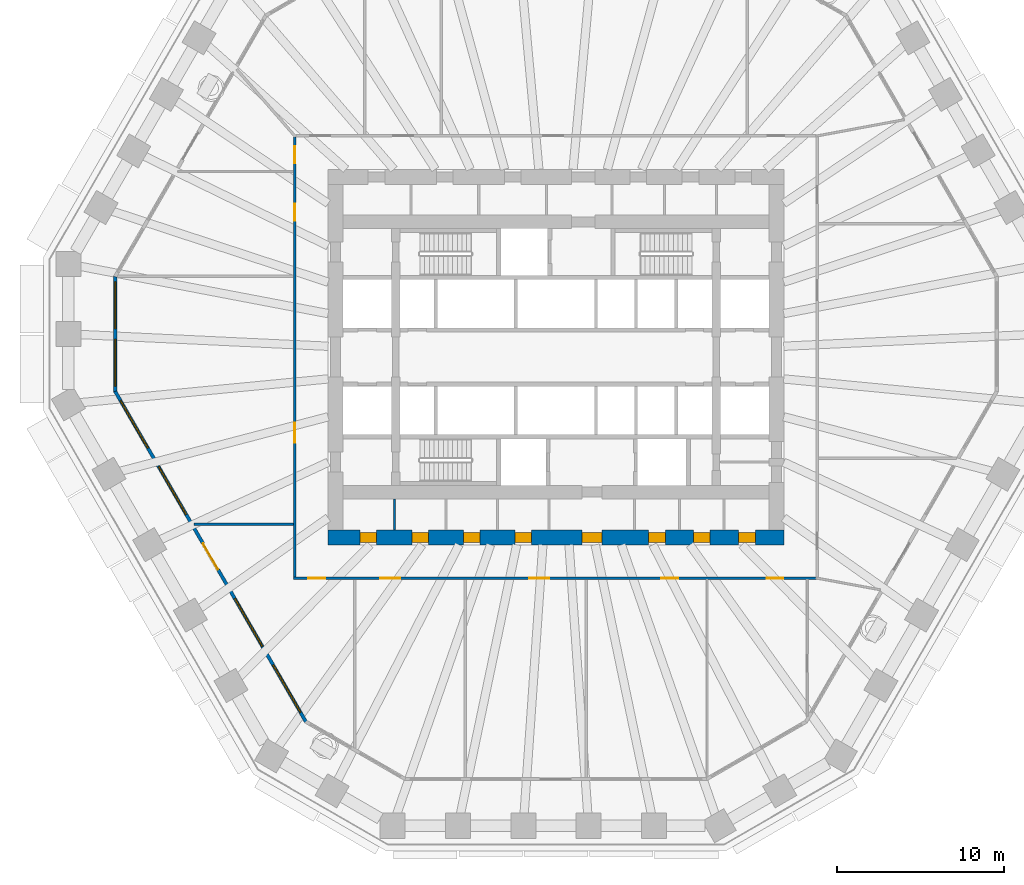
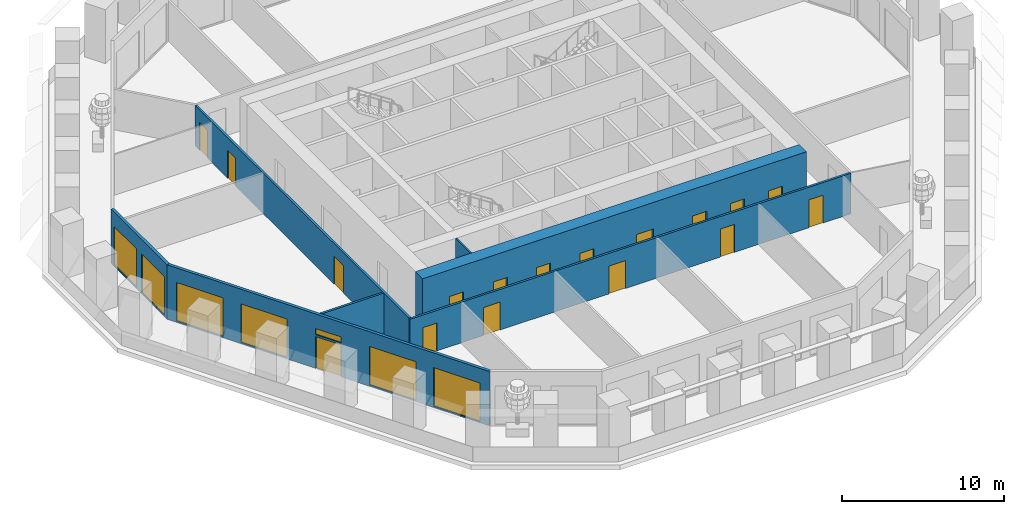
# One storey, part 3 of 12: 17 doors, 7 walls, 7 windows, 24 openings.
"""IFC4 building model written with IfcOpenShell, lengths in metres."""

from ifc_helpers import new_model, si_unit, direction, frame, frame_2d, origin, place, context, subcontext, project, spatial, polyline, rectangle, outline, extrude, material, layer, layer_set, type_object, element, fill, save


model = new_model("IFC4")

# Units and contexts
model_context = context("Model", 3, precision=1e-05, world=origin(), true_north=direction((0.0, 1.0)))
body_context = subcontext(model_context, "Body", "Model", "MODEL_VIEW")
ifc_project = project(units=[si_unit("LENGTHUNIT", "METRE"), si_unit("AREAUNIT", "SQUARE_METRE"), si_unit("VOLUMEUNIT", "CUBIC_METRE"), si_unit("PLANEANGLEUNIT", "RADIAN"), si_unit("MASSUNIT", "GRAM", prefix="KILO")], contexts=[model_context])

# Site, building, storey
site_placement = place(None, origin())
site = spatial("IfcSite", under=ifc_project, at=site_placement, CompositionType="ELEMENT")
building_placement = place(site_placement, origin())
building = spatial("IfcBuilding", under=site, at=building_placement, Name="Frailejon Research Tower", CompositionType="ELEMENT")
storey_placement = place(building_placement, frame((0.0, 0.0, 58.60009765625)))
storey = spatial("IfcBuildingStorey", under=building, at=storey_placement, Name="L13", CompositionType="ELEMENT", Elevation=58.60009765625)

# Wall
ifc_material_1 = material(Name="Plasterboard on steel studs", Category="steel")
ifc_layer_1 = layer(ifc_material_1, 0.125)
ifc_layer_set_1 = layer_set([ifc_layer_1], Name="Core partition 125")
wall_type_1 = type_object("IfcWallType", Name="Core partition 125", PredefinedType="PARTITIONING", material=ifc_layer_set_1)
wall_1_placement = place(storey_placement, frame((-9.66552734375, -10.35009765625, 0.0), z_axis=(0.0, 0.0, 1.0), x_axis=(0.0, 1.0, 0.0)))
element("IfcWall", 1, at=wall_1_placement, inside=storey, type_object=wall_type_1, Name="Core partition", PredefinedType="PARTITIONING", context=body_context, shape_type="SweptSolid", body=[
    extrude(rectangle(XDim=1.85009765625, YDim=0.125, at=frame_2d((0.925048828125, 0.0))), origin(), (0.0, 0.0, 1.0), 4.099853515625),
])

# Wall, openings, doors
ifc_material_2 = material(Name="Concrete C70/85", Category="concrete")
ifc_layer_2 = layer(ifc_material_2, 0.89990234375)
ifc_layer_set_2 = layer_set([ifc_layer_2], Name="Core shear wall 900 C70/85")
wall_type_2 = type_object("IfcWallType", Name="Core shear wall 900 C70/85", PredefinedType="SHEAR", material=ifc_layer_set_2)
wall_2_placement = place(storey_placement, frame((-13.64990234375, -10.800048828125, 0.0), z_axis=(0.0, 0.0, 1.0), x_axis=(1.0, 0.0, 0.0)))
wall_2 = element("IfcWall", 2, at=wall_2_placement, inside=storey, type_object=wall_type_2, Name="Core shear wall", PredefinedType="SHEAR", context=body_context, shape_type="SweptSolid", body=[
    extrude(rectangle(XDim=27.2998046875, YDim=0.89990234375, at=frame_2d((13.64990234375, 0.0))), origin(), (0.0, 0.0, 1.0), 4.099853515625),
])
opening_1_placement = place(wall_2_placement, frame((1.910888671875, 0.0, 0.0)))
opening_1 = element("IfcOpeningElement", 3, at=opening_1_placement, cuts=wall_2, Name="Opening D4", PredefinedType="OPENING", context=body_context, shape_type="SweptSolid", body=[
    extrude(rectangle(XDim=1.0, YDim=2.10009765625, at=frame_2d((0.5, 1.050048828125))), frame((0.0, 0.4599609375, 0.0), z_axis=(0.0, -1.0, 0.0), x_axis=(1.0, 0.0, 0.0)), (0.0, 0.0, 1.0), 0.919921875),
])
opening_2_placement = place(wall_2_placement, frame((5.026611328125, 0.0, 0.0)))
opening_2 = element("IfcOpeningElement", 4, at=opening_2_placement, cuts=wall_2, Name="Opening D4", PredefinedType="OPENING", context=body_context, shape_type="SweptSolid", body=[
    extrude(rectangle(XDim=1.0, YDim=2.10009765625, at=frame_2d((0.5, 1.050048828125))), frame((0.0, 0.4599609375, 0.0), z_axis=(0.0, -1.0, 0.0), x_axis=(1.0, 0.0, 0.0)), (0.0, 0.0, 1.0), 0.919921875),
])
opening_3_placement = place(wall_2_placement, frame((8.11083984375, 0.0, 0.0)))
opening_3 = element("IfcOpeningElement", 5, at=opening_3_placement, cuts=wall_2, Name="Opening D4", PredefinedType="OPENING", context=body_context, shape_type="SweptSolid", body=[
    extrude(rectangle(XDim=1.0, YDim=2.10009765625, at=frame_2d((0.5, 1.050048828125))), frame((0.0, 0.4599609375, 0.0), z_axis=(0.0, -1.0, 0.0), x_axis=(1.0, 0.0, 0.0)), (0.0, 0.0, 1.0), 0.919921875),
])
opening_4_placement = place(wall_2_placement, frame((11.1953125, 0.0, 0.0)))
opening_4 = element("IfcOpeningElement", 6, at=opening_4_placement, cuts=wall_2, Name="Opening D4", PredefinedType="OPENING", context=body_context, shape_type="SweptSolid", body=[
    extrude(rectangle(XDim=1.0, YDim=2.10009765625, at=frame_2d((0.5, 1.050048828125))), frame((0.0, 0.4599609375, 0.0), z_axis=(0.0, -1.0, 0.0), x_axis=(1.0, 0.0, 0.0)), (0.0, 0.0, 1.0), 0.919921875),
])
opening_5_placement = place(wall_2_placement, frame((19.2021484375, 0.0, 0.0)))
opening_5 = element("IfcOpeningElement", 7, at=opening_5_placement, cuts=wall_2, Name="Opening D4", PredefinedType="OPENING", context=body_context, shape_type="SweptSolid", body=[
    extrude(rectangle(XDim=1.0, YDim=2.10009765625, at=frame_2d((0.5, 1.050048828125))), frame((0.0, 0.4599609375, 0.0), z_axis=(0.0, -1.0, 0.0), x_axis=(1.0, 0.0, 0.0)), (0.0, 0.0, 1.0), 0.919921875),
])
opening_6_placement = place(wall_2_placement, frame((21.881103515625, 0.0, 0.0)))
opening_6 = element("IfcOpeningElement", 8, at=opening_6_placement, cuts=wall_2, Name="Opening D4", PredefinedType="OPENING", context=body_context, shape_type="SweptSolid", body=[
    extrude(rectangle(XDim=1.0, YDim=2.10009765625, at=frame_2d((0.5, 1.050048828125))), frame((0.0, 0.4599609375, 0.0), z_axis=(0.0, -1.0, 0.0), x_axis=(1.0, 0.0, 0.0)), (0.0, 0.0, 1.0), 0.919921875),
])
opening_7_placement = place(wall_2_placement, frame((24.591796875, 0.0, 0.0)))
opening_7 = element("IfcOpeningElement", 9, at=opening_7_placement, cuts=wall_2, Name="Opening D4", PredefinedType="OPENING", context=body_context, shape_type="SweptSolid", body=[
    extrude(rectangle(XDim=1.0, YDim=2.10009765625, at=frame_2d((0.5, 1.050048828125))), frame((0.0, 0.4599609375, 0.0), z_axis=(0.0, -1.0, 0.0), x_axis=(1.0, 0.0, 0.0)), (0.0, 0.0, 1.0), 0.919921875),
])
opening_8_placement = place(wall_2_placement, frame((15.199951171875, 0.0, 0.0)))
opening_8 = element("IfcOpeningElement", 10, at=opening_8_placement, cuts=wall_2, Name="Opening D3", PredefinedType="OPENING", context=body_context, shape_type="SweptSolid", body=[
    extrude(rectangle(XDim=1.199951171875, YDim=2.10009765625, at=frame_2d((0.60009765625, 1.050048828125))), frame((0.0, 0.4599609375, 0.0), z_axis=(0.0, -1.0, 0.0), x_axis=(1.0, 0.0, 0.0)), (0.0, 0.0, 1.0), 0.919921875),
])
ifc_material_3 = material(Name="Steel", Category="steel")
door_type_1 = type_object("IfcDoorType", Name="Firefighting lobby door", OperationType="SINGLE_SWING_LEFT", PredefinedType="DOOR", material=ifc_material_3)
door_1_placement = place(opening_8_placement, origin())
door_1 = element("IfcDoor", 11, at=door_1_placement, inside=storey, type_object=door_type_1, Name="Passage door", OperationType="SINGLE_SWING_RIGHT", OverallHeight=2.10009765625, OverallWidth=1.199951171875, PredefinedType="DOOR", context=body_context, shape_type="SweptSolid", body=[
    extrude(rectangle(XDim=1.199951171875, YDim=2.10009765625, at=frame_2d((0.60009765625, 1.050048828125))), frame((0.0, 0.300048828125, 0.0), z_axis=(0.0, -1.0, 0.0), x_axis=(1.0, 0.0, 0.0)), (0.0, 0.0, 1.0), 0.60009765625),
])
fill(opening_8, door_1)
ifc_material_4 = material(Name="Steel", Category="steel")
door_type_2 = type_object("IfcDoorType", Name="Service door", OperationType="SINGLE_SWING_LEFT", PredefinedType="DOOR", material=ifc_material_4)
door_2_placement = place(opening_1_placement, origin())
door_2 = element("IfcDoor", 12, at=door_2_placement, inside=storey, type_object=door_type_2, Name="Room door", OperationType="SINGLE_SWING_LEFT", OverallHeight=2.10009765625, OverallWidth=1.0, PredefinedType="DOOR", context=body_context, shape_type="SweptSolid", body=[
    extrude(rectangle(XDim=1.0, YDim=2.10009765625, at=frame_2d((0.5, 1.050048828125))), frame((0.0, 0.300048828125, 0.0), z_axis=(0.0, -1.0, 0.0), x_axis=(1.0, 0.0, 0.0)), (0.0, 0.0, 1.0), 0.60009765625),
])
fill(opening_1, door_2)
door_3_placement = place(opening_2_placement, origin())
door_3 = element("IfcDoor", 13, at=door_3_placement, inside=storey, type_object=door_type_2, Name="Room door", OperationType="SINGLE_SWING_RIGHT", OverallHeight=2.10009765625, OverallWidth=1.0, PredefinedType="DOOR", context=body_context, shape_type="SweptSolid", body=[
    extrude(rectangle(XDim=1.0, YDim=2.10009765625, at=frame_2d((0.5, 1.050048828125))), frame((0.0, 0.300048828125, 0.0), z_axis=(0.0, -1.0, 0.0), x_axis=(1.0, 0.0, 0.0)), (0.0, 0.0, 1.0), 0.60009765625),
])
fill(opening_2, door_3)
door_4_placement = place(opening_3_placement, origin())
door_4 = element("IfcDoor", 14, at=door_4_placement, inside=storey, type_object=door_type_2, Name="Room door", OperationType="SINGLE_SWING_LEFT", OverallHeight=2.10009765625, OverallWidth=1.0, PredefinedType="DOOR", context=body_context, shape_type="SweptSolid", body=[
    extrude(rectangle(XDim=1.0, YDim=2.10009765625, at=frame_2d((0.5, 1.050048828125))), frame((0.0, 0.300048828125, 0.0), z_axis=(0.0, -1.0, 0.0), x_axis=(1.0, 0.0, 0.0)), (0.0, 0.0, 1.0), 0.60009765625),
])
fill(opening_3, door_4)
door_5_placement = place(opening_4_placement, origin())
door_5 = element("IfcDoor", 15, at=door_5_placement, inside=storey, type_object=door_type_2, Name="Room door", OperationType="SINGLE_SWING_RIGHT", OverallHeight=2.10009765625, OverallWidth=1.0, PredefinedType="DOOR", context=body_context, shape_type="SweptSolid", body=[
    extrude(rectangle(XDim=1.0, YDim=2.10009765625, at=frame_2d((0.5, 1.050048828125))), frame((0.0, 0.300048828125, 0.0), z_axis=(0.0, -1.0, 0.0), x_axis=(1.0, 0.0, 0.0)), (0.0, 0.0, 1.0), 0.60009765625),
])
fill(opening_4, door_5)
door_6_placement = place(opening_5_placement, origin())
door_6 = element("IfcDoor", 16, at=door_6_placement, inside=storey, type_object=door_type_2, Name="Room door", OperationType="SINGLE_SWING_LEFT", OverallHeight=2.10009765625, OverallWidth=1.0, PredefinedType="DOOR", context=body_context, shape_type="SweptSolid", body=[
    extrude(rectangle(XDim=1.0, YDim=2.10009765625, at=frame_2d((0.5, 1.050048828125))), frame((0.0, 0.300048828125, 0.0), z_axis=(0.0, -1.0, 0.0), x_axis=(1.0, 0.0, 0.0)), (0.0, 0.0, 1.0), 0.60009765625),
])
fill(opening_5, door_6)
door_7_placement = place(opening_6_placement, origin())
door_7 = element("IfcDoor", 17, at=door_7_placement, inside=storey, type_object=door_type_2, Name="Room door", OperationType="SINGLE_SWING_RIGHT", OverallHeight=2.10009765625, OverallWidth=1.0, PredefinedType="DOOR", context=body_context, shape_type="SweptSolid", body=[
    extrude(rectangle(XDim=1.0, YDim=2.10009765625, at=frame_2d((0.5, 1.050048828125))), frame((0.0, 0.300048828125, 0.0), z_axis=(0.0, -1.0, 0.0), x_axis=(1.0, 0.0, 0.0)), (0.0, 0.0, 1.0), 0.60009765625),
])
fill(opening_6, door_7)
door_8_placement = place(opening_7_placement, origin())
door_8 = element("IfcDoor", 18, at=door_8_placement, inside=storey, type_object=door_type_2, Name="Room door", OperationType="SINGLE_SWING_LEFT", OverallHeight=2.10009765625, OverallWidth=1.0, PredefinedType="DOOR", context=body_context, shape_type="SweptSolid", body=[
    extrude(rectangle(XDim=1.0, YDim=2.10009765625, at=frame_2d((0.5, 1.050048828125))), frame((0.0, 0.300048828125, 0.0), z_axis=(0.0, -1.0, 0.0), x_axis=(1.0, 0.0, 0.0)), (0.0, 0.0, 1.0), 0.60009765625),
])
fill(opening_7, door_8)

ifc_material_5 = material(Name="Gypsum board and masonry partition", Category="masonry")
ifc_layer_3 = layer(ifc_material_5, 0.14990234375)
ifc_layer_set_3 = layer_set([ifc_layer_3], Name="Corridor wall EI 60, gypsum on steel studs 150")
wall_type_3 = type_object("IfcWallType", Name="Corridor wall EI 60, gypsum on steel studs 150", PredefinedType="PARTITIONING", material=ifc_layer_set_3)
wall_3_placement = place(storey_placement, frame((-15.64990234375, -13.175048828125, 0.0), z_axis=(0.0, 0.0, 1.0), x_axis=(0.0, 1.0, 0.0)))
wall_3 = element("IfcWall", 19, at=wall_3_placement, inside=storey, type_object=wall_type_3, Name="T:IW:L13:003", PredefinedType="PARTITIONING", context=body_context, shape_type="SweptSolid", body=[
    extrude(rectangle(XDim=26.35009765625, YDim=0.14990234375, at=frame_2d((13.175048828125, 0.0))), origin(), (0.0, 0.0, 1.0), 3.0498046875),
])
opening_9_placement = place(wall_3_placement, frame((24.797119140625, 0.0, 0.0)))
opening_9 = element("IfcOpeningElement", 20, at=opening_9_placement, cuts=wall_3, Name="Opening D1441", PredefinedType="OPENING", context=body_context, shape_type="SweptSolid", body=[
    extrude(rectangle(XDim=1.0, YDim=2.10009765625, at=frame_2d((0.5, 1.050048828125))), frame((0.0, 0.0849609375, 0.0), z_axis=(0.0, -1.0, 0.0), x_axis=(1.0, 0.0, 0.0)), (0.0, 0.0, 1.0), 0.169921875),
])
opening_10_placement = place(wall_3_placement, frame((21.345947265625, 0.0, 0.0)))
opening_10 = element("IfcOpeningElement", 21, at=opening_10_placement, cuts=wall_3, Name="Opening D1442", PredefinedType="OPENING", context=body_context, shape_type="SweptSolid", body=[
    extrude(rectangle(XDim=1.0, YDim=2.10009765625, at=frame_2d((0.5, 1.050048828125))), frame((0.0, 0.0849609375, 0.0), z_axis=(0.0, -1.0, 0.0), x_axis=(1.0, 0.0, 0.0)), (0.0, 0.0, 1.0), 0.169921875),
])
opening_11_placement = place(wall_3_placement, frame((8.0458984375, 0.0, 0.0)))
opening_11 = element("IfcOpeningElement", 22, at=opening_11_placement, cuts=wall_3, Name="Opening D1443", PredefinedType="OPENING", context=body_context, shape_type="SweptSolid", body=[
    extrude(rectangle(XDim=1.199951171875, YDim=2.10009765625, at=frame_2d((0.60009765625, 1.050048828125))), frame((0.0, 0.0849609375, 0.0), z_axis=(0.0, -1.0, 0.0), x_axis=(1.0, 0.0, 0.0)), (0.0, 0.0, 1.0), 0.169921875),
])
ifc_material_6 = material(Name="Timber door leaf", Category="wood")
door_type_3 = type_object("IfcDoorType", Name="Door laboratory, timber, vision panel 1200", OperationType="NOTDEFINED", PredefinedType="DOOR", material=ifc_material_6)
door_9_placement = place(opening_11_placement, origin())
door_9 = element("IfcDoor", 23, at=door_9_placement, inside=storey, type_object=door_type_3, Name="D1443", OperationType="DOUBLE_DOOR_SINGLE_SWING", OverallHeight=2.10009765625, OverallWidth=1.199951171875, PredefinedType="DOOR", context=body_context, shape_type="SweptSolid", body=[
    extrude(rectangle(XDim=1.199951171875, YDim=2.10009765625, at=frame_2d((0.60009765625, 1.050048828125))), frame((0.0, 0.02490234375, 0.0), z_axis=(0.0, -1.0, 0.0), x_axis=(1.0, 0.0, 0.0)), (0.0, 0.0, 1.0), 0.050048828125),
])
fill(opening_11, door_9)
ifc_material_7 = material(Name="Timber door leaf", Category="wood")
door_type_4 = type_object("IfcDoorType", Name="Door single leaf, timber, steel frame 1000", OperationType="NOTDEFINED", PredefinedType="DOOR", material=ifc_material_7)
door_10_placement = place(opening_9_placement, origin())
door_10 = element("IfcDoor", 24, at=door_10_placement, inside=storey, type_object=door_type_4, Name="D1441", OperationType="SINGLE_SWING_RIGHT", OverallHeight=2.10009765625, OverallWidth=1.0, PredefinedType="DOOR", context=body_context, shape_type="SweptSolid", body=[
    extrude(rectangle(XDim=1.0, YDim=2.10009765625, at=frame_2d((0.5, 1.050048828125))), frame((0.0, 0.02490234375, 0.0), z_axis=(0.0, -1.0, 0.0), x_axis=(1.0, 0.0, 0.0)), (0.0, 0.0, 1.0), 0.050048828125),
])
fill(opening_9, door_10)
door_11_placement = place(opening_10_placement, origin())
door_11 = element("IfcDoor", 25, at=door_11_placement, inside=storey, type_object=door_type_4, Name="D1442", OperationType="SINGLE_SWING_LEFT", OverallHeight=2.10009765625, OverallWidth=1.0, PredefinedType="DOOR", context=body_context, shape_type="SweptSolid", body=[
    extrude(rectangle(XDim=1.0, YDim=2.10009765625, at=frame_2d((0.5, 1.050048828125))), frame((0.0, 0.02490234375, 0.0), z_axis=(0.0, -1.0, 0.0), x_axis=(1.0, 0.0, 0.0)), (0.0, 0.0, 1.0), 0.050048828125),
])
fill(opening_10, door_11)

wall_4_placement = place(storey_placement, frame((-15.72509765625, -13.25, 0.0), z_axis=(0.0, 0.0, 1.0), x_axis=(1.0, 0.0, 0.0)))
wall_4 = element("IfcWall", 26, at=wall_4_placement, inside=storey, type_object=wall_type_3, Name="T:IW:L13:004", PredefinedType="PARTITIONING", context=body_context, shape_type="SweptSolid", body=[
    extrude(rectangle(XDim=31.3251953125, YDim=0.14990234375, at=frame_2d((15.66259765625, 0.0))), origin(), (0.0, 0.0, 1.0), 3.0498046875),
])
opening_12_placement = place(wall_4_placement, frame((0.89794921875, 0.0, 0.0)))
opening_12 = element("IfcOpeningElement", 27, at=opening_12_placement, cuts=wall_4, Name="Opening D1444", PredefinedType="OPENING", context=body_context, shape_type="SweptSolid", body=[
    extrude(rectangle(XDim=1.0, YDim=2.10009765625, at=frame_2d((0.5, 1.050048828125))), frame((0.0, 0.0849609375, 0.0), z_axis=(0.0, -1.0, 0.0), x_axis=(1.0, 0.0, 0.0)), (0.0, 0.0, 1.0), 0.169921875),
])
opening_13_placement = place(wall_4_placement, frame((5.19775390625, 0.0, 0.0)))
opening_13 = element("IfcOpeningElement", 28, at=opening_13_placement, cuts=wall_4, Name="Opening D1445", PredefinedType="OPENING", context=body_context, shape_type="SweptSolid", body=[
    extrude(rectangle(XDim=1.199951171875, YDim=2.10009765625, at=frame_2d((0.60009765625, 1.050048828125))), frame((0.0, 0.0849609375, 0.0), z_axis=(0.0, -1.0, 0.0), x_axis=(1.0, 0.0, 0.0)), (0.0, 0.0, 1.0), 0.169921875),
])
opening_14_placement = place(wall_4_placement, frame((14.115478515625, 0.0, 0.0)))
opening_14 = element("IfcOpeningElement", 29, at=opening_14_placement, cuts=wall_4, Name="Opening D1446", PredefinedType="OPENING", context=body_context, shape_type="SweptSolid", body=[
    extrude(rectangle(XDim=1.199951171875, YDim=2.10009765625, at=frame_2d((0.60009765625, 1.050048828125))), frame((0.0, 0.0849609375, 0.0), z_axis=(0.0, -1.0, 0.0), x_axis=(1.0, 0.0, 0.0)), (0.0, 0.0, 1.0), 0.169921875),
])
opening_15_placement = place(wall_4_placement, frame((22.04638671875, 0.0, 0.0)))
opening_15 = element("IfcOpeningElement", 30, at=opening_15_placement, cuts=wall_4, Name="Opening D1447", PredefinedType="OPENING", context=body_context, shape_type="SweptSolid", body=[
    extrude(rectangle(XDim=1.0, YDim=2.10009765625, at=frame_2d((0.5, 1.050048828125))), frame((0.0, 0.0849609375, 0.0), z_axis=(0.0, -1.0, 0.0), x_axis=(1.0, 0.0, 0.0)), (0.0, 0.0, 1.0), 0.169921875),
])
opening_16_placement = place(wall_4_placement, frame((28.358154296875, 0.0, 0.0)))
opening_16 = element("IfcOpeningElement", 31, at=opening_16_placement, cuts=wall_4, Name="Opening D1448", PredefinedType="OPENING", context=body_context, shape_type="SweptSolid", body=[
    extrude(rectangle(XDim=1.0, YDim=2.10009765625, at=frame_2d((0.5, 1.050048828125))), frame((0.0, 0.0849609375, 0.0), z_axis=(0.0, -1.0, 0.0), x_axis=(1.0, 0.0, 0.0)), (0.0, 0.0, 1.0), 0.169921875),
])
door_12_placement = place(opening_13_placement, origin())
door_12 = element("IfcDoor", 32, at=door_12_placement, inside=storey, type_object=door_type_3, Name="D1445", OperationType="DOUBLE_DOOR_SINGLE_SWING", OverallHeight=2.10009765625, OverallWidth=1.199951171875, PredefinedType="DOOR", context=body_context, shape_type="SweptSolid", body=[
    extrude(rectangle(XDim=1.199951171875, YDim=2.10009765625, at=frame_2d((0.60009765625, 1.050048828125))), frame((0.0, 0.02490234375, 0.0), z_axis=(0.0, -1.0, 0.0), x_axis=(1.0, 0.0, 0.0)), (0.0, 0.0, 1.0), 0.050048828125),
])
fill(opening_13, door_12)
door_13_placement = place(opening_14_placement, origin())
door_13 = element("IfcDoor", 33, at=door_13_placement, inside=storey, type_object=door_type_3, Name="D1446", OperationType="DOUBLE_DOOR_SINGLE_SWING", OverallHeight=2.10009765625, OverallWidth=1.199951171875, PredefinedType="DOOR", context=body_context, shape_type="SweptSolid", body=[
    extrude(rectangle(XDim=1.199951171875, YDim=2.10009765625, at=frame_2d((0.60009765625, 1.050048828125))), frame((0.0, 0.02490234375, 0.0), z_axis=(0.0, -1.0, 0.0), x_axis=(1.0, 0.0, 0.0)), (0.0, 0.0, 1.0), 0.050048828125),
])
fill(opening_14, door_13)
door_14_placement = place(opening_12_placement, origin())
door_14 = element("IfcDoor", 34, at=door_14_placement, inside=storey, type_object=door_type_4, Name="D1444", OperationType="SINGLE_SWING_RIGHT", OverallHeight=2.10009765625, OverallWidth=1.0, PredefinedType="DOOR", context=body_context, shape_type="SweptSolid", body=[
    extrude(rectangle(XDim=1.0, YDim=2.10009765625, at=frame_2d((0.5, 1.050048828125))), frame((0.0, 0.02490234375, 0.0), z_axis=(0.0, -1.0, 0.0), x_axis=(1.0, 0.0, 0.0)), (0.0, 0.0, 1.0), 0.050048828125),
])
fill(opening_12, door_14)
door_15_placement = place(opening_15_placement, origin())
door_15 = element("IfcDoor", 35, at=door_15_placement, inside=storey, type_object=door_type_4, Name="D1447", OperationType="SINGLE_SWING_LEFT", OverallHeight=2.10009765625, OverallWidth=1.0, PredefinedType="DOOR", context=body_context, shape_type="SweptSolid", body=[
    extrude(rectangle(XDim=1.0, YDim=2.10009765625, at=frame_2d((0.5, 1.050048828125))), frame((0.0, 0.02490234375, 0.0), z_axis=(0.0, -1.0, 0.0), x_axis=(1.0, 0.0, 0.0)), (0.0, 0.0, 1.0), 0.050048828125),
])
fill(opening_15, door_15)
door_16_placement = place(opening_16_placement, origin())
door_16 = element("IfcDoor", 36, at=door_16_placement, inside=storey, type_object=door_type_4, Name="D1448", OperationType="SINGLE_SWING_RIGHT", OverallHeight=2.10009765625, OverallWidth=1.0, PredefinedType="DOOR", context=body_context, shape_type="SweptSolid", body=[
    extrude(rectangle(XDim=1.0, YDim=2.10009765625, at=frame_2d((0.5, 1.050048828125))), frame((0.0, 0.02490234375, 0.0), z_axis=(0.0, -1.0, 0.0), x_axis=(1.0, 0.0, 0.0)), (0.0, 0.0, 1.0), 0.050048828125),
])
fill(opening_16, door_16)

# Wall
ifc_material_8 = material(Name="Gypsum board and masonry partition", Category="masonry")
ifc_layer_4 = layer(ifc_material_8, 0.14990234375)
ifc_layer_set_4 = layer_set([ifc_layer_4], Name="Laboratory partition, blockwork 150")
wall_type_4 = type_object("IfcWallType", Name="Laboratory partition, blockwork 150", PredefinedType="PARTITIONING", material=ifc_layer_set_4)
wall_5_placement = place(storey_placement, frame((-21.698974609375, -10.016357421875, 0.0), z_axis=(0.0, 0.0, 1.0), x_axis=(1.0, 0.0, 0.0)))
element("IfcWall", 37, at=wall_5_placement, inside=storey, type_object=wall_type_4, Name="T:IW:L13:012", PredefinedType="PARTITIONING", context=body_context, shape_type="SweptSolid", body=[
    extrude(rectangle(XDim=5.973876953125, YDim=0.14990234375, at=frame_2d((2.98681640625, 0.0))), origin(), (0.0, 0.0, 1.0), 3.0498046875),
])

# Wall, openings, windows
ifc_material_9 = material(Name="Concrete C40/50 precast window wall panel", Category="concrete")
ifc_layer_5 = layer(ifc_material_9, 0.199951171875)
ifc_layer_set_5 = layer_set([ifc_layer_5], Name="Window wall 200")
wall_type_5 = type_object("IfcWallType", Name="Window wall 200", PredefinedType="SOLIDWALL", material=ifc_layer_set_5)
wall_6_placement = place(storey_placement, frame((-26.4111328125, 4.820068359375, 0.0), z_axis=(0.0, 0.0, 1.0), x_axis=(0.0, -1.0, 0.0)))
wall_6 = element("IfcWall", 38, at=wall_6_placement, inside=storey, type_object=wall_type_5, Name="Exterior wall L13", PredefinedType="SOLIDWALL", context=body_context, shape_type="SweptSolid", body=[
    extrude(outline(polyline([(-0.02685546875, -0.10009765625), (1.1279296875, -0.10009765625), (2.28271484375, -0.10009765625), (3.4375, -0.10009765625), (4.592041015625, -0.10009765625), (5.746826171875, -0.10009765625), (6.901611328125, -0.10009765625), (6.847900390625, 0.10009765625), (5.7109375, 0.10009765625), (4.57421875, 0.10009765625), (3.4375, 0.10009765625), (2.300537109375, 0.10009765625), (1.16357421875, 0.10009765625), (0.02685546875, 0.10009765625), (-0.02685546875, -0.10009765625)])), origin(), (0.0, 0.0, 1.0), 4.099853515625),
])
opening_17_placement = place(wall_6_placement, frame((0.318603515625, 0.0, 0.10009765625)))
opening_17 = element("IfcOpeningElement", 39, at=opening_17_placement, cuts=wall_6, Name="Opening W3", PredefinedType="OPENING", context=body_context, shape_type="SweptSolid", body=[
    extrude(rectangle(XDim=2.800048828125, YDim=2.89990234375, at=frame_2d((1.39990234375, 1.449951171875))), frame((0.0, 0.10986328125, 0.0), z_axis=(0.0, -1.0, 0.0), x_axis=(1.0, 0.0, 0.0)), (0.0, 0.0, 1.0), 0.219970703125),
])
opening_18_placement = place(wall_6_placement, frame((3.756103515625, 0.0, 0.10009765625)))
opening_18 = element("IfcOpeningElement", 40, at=opening_18_placement, cuts=wall_6, Name="Opening W3", PredefinedType="OPENING", context=body_context, shape_type="SweptSolid", body=[
    extrude(rectangle(XDim=2.800048828125, YDim=2.89990234375, at=frame_2d((1.39990234375, 1.449951171875))), frame((0.0, 0.10986328125, 0.0), z_axis=(0.0, -1.0, 0.0), x_axis=(1.0, 0.0, 0.0)), (0.0, 0.0, 1.0), 0.219970703125),
])
ifc_material_10 = material(Name="Aluminium framed double glazing", Category="aluminium")
window_type_1 = type_object("IfcWindowType", Name="Window 2800x2900", PartitioningType="SINGLE_PANEL", PredefinedType="WINDOW", material=ifc_material_10)
window_1_placement = place(opening_17_placement, origin())
window_1 = element("IfcWindow", 41, at=window_1_placement, inside=storey, type_object=window_type_1, Name="Window L13", OverallHeight=2.89990234375, OverallWidth=2.800048828125, PartitioningType="SINGLE_PANEL", PredefinedType="WINDOW", context=body_context, shape_type="SweptSolid", body=[
    extrude(rectangle(XDim=2.800048828125, YDim=2.89990234375, at=frame_2d((1.39990234375, 1.449951171875))), frame((0.0, 0.030029296875, 0.0), z_axis=(0.0, -1.0, 0.0), x_axis=(1.0, 0.0, 0.0)), (0.0, 0.0, 1.0), 0.06005859375),
])
fill(opening_17, window_1)
window_2_placement = place(opening_18_placement, origin())
window_2 = element("IfcWindow", 42, at=window_2_placement, inside=storey, type_object=window_type_1, Name="Window L13", OverallHeight=2.89990234375, OverallWidth=2.800048828125, PartitioningType="SINGLE_PANEL", PredefinedType="WINDOW", context=body_context, shape_type="SweptSolid", body=[
    extrude(rectangle(XDim=2.800048828125, YDim=2.89990234375, at=frame_2d((1.39990234375, 1.449951171875))), frame((0.0, 0.030029296875, 0.0), z_axis=(0.0, -1.0, 0.0), x_axis=(1.0, 0.0, 0.0)), (0.0, 0.0, 1.0), 0.06005859375),
])
fill(opening_18, window_2)

# Wall, openings, door, windows
wall_7_placement = place(storey_placement, frame((-26.4111328125, -2.0546875, 0.0), z_axis=(0.0, 0.0, 1.0), x_axis=(0.50000204422, -0.86602422355, 0.0)))
wall_7 = element("IfcWall", 43, at=wall_7_placement, inside=storey, type_object=wall_type_5, Name="Exterior wall L13", PredefinedType="SOLIDWALL", context=body_context, shape_type="SweptSolid", body=[
    extrude(outline(polyline([(-0.02685546875, -0.10009765625), (1.014404296875, -0.10009765625), (2.055419921875, -0.10009765625), (3.0966796875, -0.10009765625), (4.137939453125, -0.10009765625), (5.17919921875, -0.10009765625), (6.22021484375, -0.10009765625), (7.261474609375, -0.10009765625), (8.302734375, -0.10009765625), (9.343994140625, -0.10009765625), (10.385009765625, -0.10009765625), (11.42626953125, -0.10009765625), (12.467529296875, -0.10009765625), (13.508544921875, -0.10009765625), (14.5498046875, -0.10009765625), (15.591064453125, -0.10009765625), (16.63232421875, -0.10009765625), (17.67333984375, -0.10009765625), (18.714599609375, -0.10009765625), (19.755859375, -0.10009765625), (20.797119140625, -0.10009765625), (21.838134765625, -0.10009765625), (22.87939453125, -0.10009765625), (22.82568359375, 0.10009765625), (21.789306640625, 0.10009765625), (20.753173828125, 0.10009765625), (19.716796875, 0.10009765625), (18.680419921875, 0.10009765625), (17.64404296875, 0.10009765625), (16.60791015625, 0.10009765625), (15.571533203125, 0.10009765625), (14.53515625, 0.10009765625), (13.498779296875, 0.10009765625), (12.462646484375, 0.10009765625), (11.42626953125, 0.10009765625), (10.389892578125, 0.10009765625), (9.353759765625, 0.10009765625), (8.3173828125, 0.10009765625), (7.281005859375, 0.10009765625), (6.24462890625, 0.10009765625), (5.20849609375, 0.10009765625), (4.172119140625, 0.10009765625), (3.1357421875, 0.10009765625), (2.099365234375, 0.10009765625), (1.063232421875, 0.10009765625), (0.02685546875, 0.10009765625), (-0.02685546875, -0.10009765625)])), origin(), (0.0, 0.0, 1.0), 4.099853515625),
])
opening_19_placement = place(wall_7_placement, frame((0.63525390625, 0.0, 0.10009765625)))
opening_19 = element("IfcOpeningElement", 44, at=opening_19_placement, cuts=wall_7, Name="Opening W5", PredefinedType="OPENING", context=body_context, shape_type="SweptSolid", body=[
    extrude(rectangle(XDim=3.300048828125, YDim=2.89990234375, at=frame_2d((1.64990234375, 1.449951171875))), frame((0.0, 0.10986328125, 0.0), z_axis=(0.0, -1.0, 0.0), x_axis=(1.0, 0.0, 0.0)), (0.0, 0.0, 1.0), 0.219970703125),
])
opening_20_placement = place(wall_7_placement, frame((5.205810546875, 0.0, 0.10009765625)))
opening_20 = element("IfcOpeningElement", 45, at=opening_20_placement, cuts=wall_7, Name="Opening W5", PredefinedType="OPENING", context=body_context, shape_type="SweptSolid", body=[
    extrude(rectangle(XDim=3.300048828125, YDim=2.89990234375, at=frame_2d((1.64990234375, 1.449951171875))), frame((0.0, 0.10986328125, 0.0), z_axis=(0.0, -1.0, 0.0), x_axis=(1.0, 0.0, 0.0)), (0.0, 0.0, 1.0), 0.219970703125),
])
opening_21_placement = place(wall_7_placement, frame((10.5263671875, 0.0, 0.0)))
opening_21 = element("IfcOpeningElement", 46, at=opening_21_placement, cuts=wall_7, Name="Opening LG13-4", PredefinedType="OPENING", context=body_context, shape_type="SweptSolid", body=[
    extrude(rectangle(XDim=1.800048828125, YDim=2.39990234375, at=frame_2d((0.89990234375, 1.199951171875))), frame((0.0, 0.10986328125, 0.0), z_axis=(0.0, -1.0, 0.0), x_axis=(1.0, 0.0, 0.0)), (0.0, 0.0, 1.0), 0.219970703125),
])
opening_22_placement = place(wall_7_placement, frame((10.5263671875, 0.0, 2.550048828125)))
opening_22 = element("IfcOpeningElement", 47, at=opening_22_placement, cuts=wall_7, Name="Opening W1", PredefinedType="OPENING", context=body_context, shape_type="SweptSolid", body=[
    extrude(rectangle(XDim=1.800048828125, YDim=0.449951171875, at=frame_2d((0.89990234375, 0.22509765625))), frame((0.0, 0.10986328125, 0.0), z_axis=(0.0, -1.0, 0.0), x_axis=(1.0, 0.0, 0.0)), (0.0, 0.0, 1.0), 0.219970703125),
])
opening_23_placement = place(wall_7_placement, frame((14.3466796875, 0.0, 0.10009765625)))
opening_23 = element("IfcOpeningElement", 48, at=opening_23_placement, cuts=wall_7, Name="Opening W5", PredefinedType="OPENING", context=body_context, shape_type="SweptSolid", body=[
    extrude(rectangle(XDim=3.300048828125, YDim=2.89990234375, at=frame_2d((1.64990234375, 1.449951171875))), frame((0.0, 0.10986328125, 0.0), z_axis=(0.0, -1.0, 0.0), x_axis=(1.0, 0.0, 0.0)), (0.0, 0.0, 1.0), 0.219970703125),
])
opening_24_placement = place(wall_7_placement, frame((18.917236328125, 0.0, 0.10009765625)))
opening_24 = element("IfcOpeningElement", 49, at=opening_24_placement, cuts=wall_7, Name="Opening W5", PredefinedType="OPENING", context=body_context, shape_type="SweptSolid", body=[
    extrude(rectangle(XDim=3.300048828125, YDim=2.89990234375, at=frame_2d((1.64990234375, 1.449951171875))), frame((0.0, 0.10986328125, 0.0), z_axis=(0.0, -1.0, 0.0), x_axis=(1.0, 0.0, 0.0)), (0.0, 0.0, 1.0), 0.219970703125),
])
ifc_material_11 = material(Name="Aluminium framed glazed door leaf", Category="aluminium")
door_type_5 = type_object("IfcDoorType", Name="Loggia door 1800x2400", OperationType="DOUBLE_DOOR_SINGLE_SWING", PredefinedType="DOOR", material=ifc_material_11)
door_17_placement = place(opening_21_placement, origin())
door_17 = element("IfcDoor", 50, at=door_17_placement, inside=storey, type_object=door_type_5, Name="Door LG13-4", OperationType="DOUBLE_DOOR_SINGLE_SWING", OverallHeight=2.39990234375, OverallWidth=1.800048828125, PredefinedType="DOOR", context=body_context, shape_type="SweptSolid", body=[
    extrude(rectangle(XDim=1.800048828125, YDim=2.39990234375, at=frame_2d((0.89990234375, 1.199951171875))), frame((0.0, 0.02490234375, 0.0), z_axis=(0.0, -1.0, 0.0), x_axis=(1.0, 0.0, 0.0)), (0.0, 0.0, 1.0), 0.050048828125),
])
fill(opening_21, door_17)
ifc_material_12 = material(Name="Aluminium framed double glazing", Category="aluminium")
window_type_2 = type_object("IfcWindowType", Name="Window 1800x450", PartitioningType="SINGLE_PANEL", PredefinedType="WINDOW", material=ifc_material_12)
window_3_placement = place(opening_22_placement, origin())
window_3 = element("IfcWindow", 51, at=window_3_placement, inside=storey, type_object=window_type_2, Name="Window L13", OverallHeight=0.449951171875, OverallWidth=1.800048828125, PartitioningType="SINGLE_PANEL", PredefinedType="WINDOW", context=body_context, shape_type="SweptSolid", body=[
    extrude(rectangle(XDim=1.800048828125, YDim=0.449951171875, at=frame_2d((0.89990234375, 0.22509765625))), frame((0.0, 0.030029296875, 0.0), z_axis=(0.0, -1.0, 0.0), x_axis=(1.0, 0.0, 0.0)), (0.0, 0.0, 1.0), 0.06005859375),
])
fill(opening_22, window_3)
ifc_material_13 = material(Name="Aluminium framed double glazing", Category="aluminium")
window_type_3 = type_object("IfcWindowType", Name="Window 3300x2900", PartitioningType="SINGLE_PANEL", PredefinedType="WINDOW", material=ifc_material_13)
window_4_placement = place(opening_19_placement, origin())
window_4 = element("IfcWindow", 52, at=window_4_placement, inside=storey, type_object=window_type_3, Name="Window L13", OverallHeight=2.89990234375, OverallWidth=3.300048828125, PartitioningType="SINGLE_PANEL", PredefinedType="WINDOW", context=body_context, shape_type="SweptSolid", body=[
    extrude(rectangle(XDim=3.300048828125, YDim=2.89990234375, at=frame_2d((1.64990234375, 1.449951171875))), frame((0.0, 0.030029296875, 0.0), z_axis=(0.0, -1.0, 0.0), x_axis=(1.0, 0.0, 0.0)), (0.0, 0.0, 1.0), 0.06005859375),
])
fill(opening_19, window_4)
window_5_placement = place(opening_20_placement, origin())
window_5 = element("IfcWindow", 53, at=window_5_placement, inside=storey, type_object=window_type_3, Name="Window L13", OverallHeight=2.89990234375, OverallWidth=3.300048828125, PartitioningType="SINGLE_PANEL", PredefinedType="WINDOW", context=body_context, shape_type="SweptSolid", body=[
    extrude(rectangle(XDim=3.300048828125, YDim=2.89990234375, at=frame_2d((1.64990234375, 1.449951171875))), frame((0.0, 0.030029296875, 0.0), z_axis=(0.0, -1.0, 0.0), x_axis=(1.0, 0.0, 0.0)), (0.0, 0.0, 1.0), 0.06005859375),
])
fill(opening_20, window_5)
window_6_placement = place(opening_23_placement, origin())
window_6 = element("IfcWindow", 54, at=window_6_placement, inside=storey, type_object=window_type_3, Name="Window L13", OverallHeight=2.89990234375, OverallWidth=3.300048828125, PartitioningType="SINGLE_PANEL", PredefinedType="WINDOW", context=body_context, shape_type="SweptSolid", body=[
    extrude(rectangle(XDim=3.300048828125, YDim=2.89990234375, at=frame_2d((1.64990234375, 1.449951171875))), frame((0.0, 0.030029296875, 0.0), z_axis=(0.0, -1.0, 0.0), x_axis=(1.0, 0.0, 0.0)), (0.0, 0.0, 1.0), 0.06005859375),
])
fill(opening_23, window_6)
window_7_placement = place(opening_24_placement, origin())
window_7 = element("IfcWindow", 55, at=window_7_placement, inside=storey, type_object=window_type_3, Name="Window L13", OverallHeight=2.89990234375, OverallWidth=3.300048828125, PartitioningType="SINGLE_PANEL", PredefinedType="WINDOW", context=body_context, shape_type="SweptSolid", body=[
    extrude(rectangle(XDim=3.300048828125, YDim=2.89990234375, at=frame_2d((1.64990234375, 1.449951171875))), frame((0.0, 0.030029296875, 0.0), z_axis=(0.0, -1.0, 0.0), x_axis=(1.0, 0.0, 0.0)), (0.0, 0.0, 1.0), 0.06005859375),
])
fill(opening_24, window_7)

save(model, "model.ifc")
